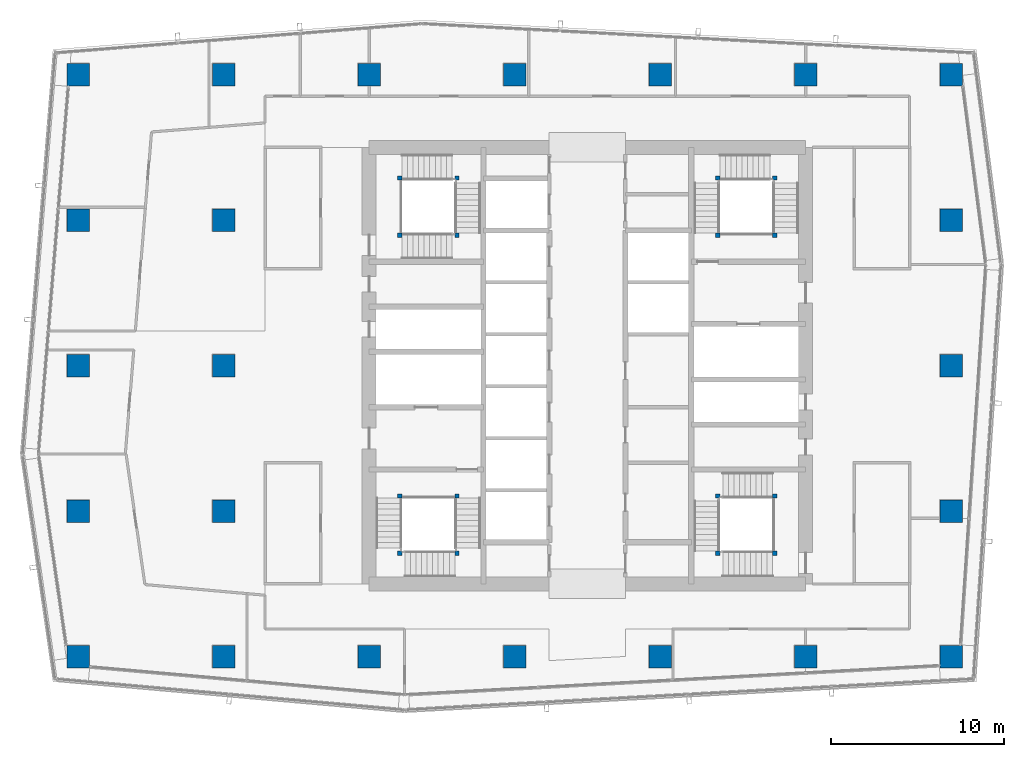
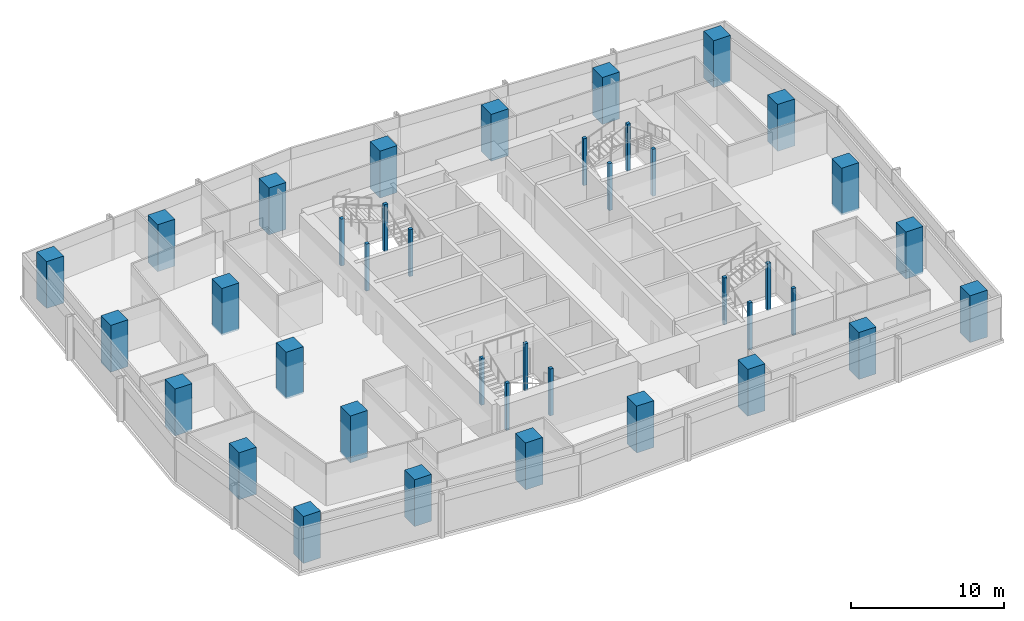
# One storey, part 1 of 29: 39 columns.
"""IFC4 building model written with IfcOpenShell, lengths in metres."""

from ifc_helpers import new_model, si_unit, direction, frame, origin, origin_2d, place, context, subcontext, project, spatial, rectangle, extrude, material, material_profile, profile_set, type_object, element, save


model = new_model("IFC4")

# Units and contexts
model_context = context("Model", 3, precision=1e-05, world=origin(), true_north=direction((0.0, 1.0)))
body_context = subcontext(model_context, "Body", "Model", "MODEL_VIEW")
ifc_project = project(units=[si_unit("LENGTHUNIT", "METRE"), si_unit("AREAUNIT", "SQUARE_METRE"), si_unit("VOLUMEUNIT", "CUBIC_METRE"), si_unit("PLANEANGLEUNIT", "RADIAN"), si_unit("MASSUNIT", "GRAM", prefix="KILO")], contexts=[model_context])

# Site, building, storey
site_placement = place(None, origin())
site = spatial("IfcSite", under=ifc_project, at=site_placement, CompositionType="ELEMENT")
building_placement = place(site_placement, origin())
building = spatial("IfcBuilding", under=site, at=building_placement, Name="Rekha Terrace Tower", CompositionType="ELEMENT")
storey_placement = place(building_placement, frame((0.0, 0.0, 261.35009765625)))
storey = spatial("IfcBuildingStorey", under=building, at=storey_placement, Name="L66", CompositionType="ELEMENT", Elevation=261.35009765625)

# Columns
ifc_material_1 = material(Name="Concrete M70", Category="concrete")
ifc_material_profile_1 = material_profile(ifc_material_1, rectangle(XDim=1.300048828125, YDim=1.300048828125, at=origin_2d()), Name="RC 1300x1300")
ifc_profile_set_1 = profile_set([ifc_material_profile_1], Name="Concrete M70")
column_type_1 = type_object("IfcColumnType", Name="C5D 1300x1300 column", PredefinedType="COLUMN", material=ifc_profile_set_1)
for number, where, z_axis, x_axis, name in (
    (1, (8.39990234375, 16.800048828125, 0.0), (0.0, 0.0, 1.0), (1.0, 0.0, 0.0), "Column C5D 2/C L66"),
    (2, (8.39990234375, 25.199951171875, 0.0), (0.0, 0.0, 1.0), (1.0, 0.0, 0.0), "Column C5D 2/D L66"),
    (3, (8.39990234375, 33.60009765625, 0.0), (0.0, 0.0, 1.0), (1.0, 0.0, 0.0), "Column C5D 2/E L66"),
    (4, (8.39990234375, 42.0, 0.0), (0.0, 0.0, 1.0), (1.0, 0.0, 0.0), "Column C5D 2/F L66"),
    (5, (8.39990234375, 50.39990234375, 0.0), (0.0, 0.0, 1.0), (1.0, 0.0, 0.0), "Column C5D 2/G L66"),
    (6, (16.800048828125, 16.800048828125, 0.0), (0.0, 0.0, 1.0), (1.0, 0.0, 0.0), "Column C5D 3/C L66"),
    (7, (16.800048828125, 25.199951171875, 0.0), (0.0, 0.0, 1.0), (1.0, 0.0, 0.0), "Column C5D 3/D L66"),
    (8, (16.800048828125, 33.60009765625, 0.0), (0.0, 0.0, 1.0), (1.0, 0.0, 0.0), "Column C5D 3/E L66"),
    (9, (16.800048828125, 42.0, 0.0), (0.0, 0.0, 1.0), (1.0, 0.0, 0.0), "Column C5D 3/F L66"),
    (10, (16.800048828125, 50.39990234375, 0.0), (0.0, 0.0, 1.0), (1.0, 0.0, 0.0), "Column C5D 3/G L66"),
    (11, (25.199951171875, 16.800048828125, 0.0), (0.0, 0.0, 1.0), (1.0, 0.0, 0.0), "Column C5D 4/C L66"),
    (12, (25.199951171875, 50.39990234375, 0.0), (0.0, 0.0, 1.0), (1.0, 0.0, 0.0), "Column C5D 4/G L66"),
    (13, (33.60009765625, 16.800048828125, 0.0), (0.0, 0.0, 1.0), (1.0, 0.0, 0.0), "Column C5D 5/C L66"),
    (14, (33.60009765625, 50.39990234375, 0.0), (0.0, 0.0, 1.0), (1.0, 0.0, 0.0), "Column C5D 5/G L66"),
    (15, (42.0, 16.800048828125, 0.0), (0.0, 0.0, 1.0), (1.0, 0.0, 0.0), "Column C5D 6/C L66"),
    (16, (42.0, 50.39990234375, 0.0), (0.0, 0.0, 1.0), (1.0, 0.0, 0.0), "Column C5D 6/G L66"),
    (17, (50.39990234375, 16.800048828125, 0.0), (0.0, 0.0, 1.0), (1.0, 0.0, 0.0), "Column C5D 7/C L66"),
    (18, (50.39990234375, 50.39990234375, 0.0), (0.0, 0.0, 1.0), (1.0, 0.0, 0.0), "Column C5D 7/G L66"),
    (19, (58.800048828125, 16.800048828125, 0.0), (0.0, 0.0, 1.0), (1.0, 0.0, 0.0), "Column C5D 8/C L66"),
    (20, (58.800048828125, 25.199951171875, 0.0), (0.0, 0.0, 1.0), (1.0, 0.0, 0.0), "Column C5D 8/D L66"),
    (21, (58.800048828125, 33.60009765625, 0.0), (0.0, 0.0, 1.0), (1.0, 0.0, 0.0), "Column C5D 8/E L66"),
    (22, (58.800048828125, 42.0, 0.0), (0.0, 0.0, 1.0), (1.0, 0.0, 0.0), "Column C5D 8/F L66"),
    (23, (58.800048828125, 50.39990234375, 0.0), (0.0, 0.0, 1.0), (1.0, 0.0, 0.0), "Column C5D 8/G L66"),
):
    element("IfcColumn", number, at=place(storey_placement, frame(where, z_axis=z_axis, x_axis=x_axis)), inside=storey, type_object=column_type_1, Name=name, PredefinedType="COLUMN", context=body_context, shape_type="SweptSolid", body=[
        extrude(rectangle(XDim=1.300048828125, YDim=1.300048828125, at=origin_2d()), origin(), (0.0, 0.0, 1.0), 3.75),
    ])
ifc_material_2 = material(Name="Concrete M60", Category="concrete")
ifc_material_profile_2 = material_profile(ifc_material_2, rectangle(XDim=0.25, YDim=0.25, at=origin_2d()), Name="RC 250x250")
ifc_profile_set_2 = profile_set([ifc_material_profile_2], Name="Concrete M60")
column_type_2 = type_object("IfcColumnType", Name="NP1 250x250 stair newel post", PredefinedType="COLUMN", material=ifc_profile_set_2)
for number, where, z_axis, x_axis, name in (
    (24, (30.27490234375, 26.074951171875, 0.0), (0.0, 0.0, 1.0), (1.0, 0.0, 0.0), "Stair newel post NP1"),
    (25, (30.27490234375, 22.77490234375, 0.0), (0.0, 0.0, 1.0), (1.0, 0.0, 0.0), "Stair newel post NP1"),
    (26, (26.97509765625, 22.77490234375, 0.0), (0.0, 0.0, 1.0), (1.0, 0.0, 0.0), "Stair newel post NP1"),
    (27, (26.97509765625, 26.074951171875, 0.0), (0.0, 0.0, 1.0), (1.0, 0.0, 0.0), "Stair newel post NP1"),
    (28, (45.324951171875, 41.125, 0.0), (0.0, 0.0, 1.0), (1.0, 0.0, 0.0), "Stair newel post NP1"),
    (29, (45.324951171875, 44.425048828125, 0.0), (0.0, 0.0, 1.0), (1.0, 0.0, 0.0), "Stair newel post NP1"),
    (30, (48.625, 44.425048828125, 0.0), (0.0, 0.0, 1.0), (1.0, 0.0, 0.0), "Stair newel post NP1"),
    (31, (48.625, 41.125, 0.0), (0.0, 0.0, 1.0), (1.0, 0.0, 0.0), "Stair newel post NP1"),
    (32, (48.625, 22.77490234375, 0.0), (0.0, 0.0, 1.0), (1.0, 0.0, 0.0), "Stair newel post NP1"),
    (33, (45.324951171875, 22.77490234375, 0.0), (0.0, 0.0, 1.0), (1.0, 0.0, 0.0), "Stair newel post NP1"),
    (34, (45.324951171875, 26.074951171875, 0.0), (0.0, 0.0, 1.0), (1.0, 0.0, 0.0), "Stair newel post NP1"),
    (35, (48.625, 26.074951171875, 0.0), (0.0, 0.0, 1.0), (1.0, 0.0, 0.0), "Stair newel post NP1"),
    (36, (26.97509765625, 41.125, 0.0), (0.0, 0.0, 1.0), (1.0, 0.0, 0.0), "Stair newel post NP1"),
    (37, (30.27490234375, 41.125, 0.0), (0.0, 0.0, 1.0), (1.0, 0.0, 0.0), "Stair newel post NP1"),
    (38, (30.27490234375, 44.425048828125, 0.0), (0.0, 0.0, 1.0), (1.0, 0.0, 0.0), "Stair newel post NP1"),
    (39, (26.97509765625, 44.425048828125, 0.0), (0.0, 0.0, 1.0), (1.0, 0.0, 0.0), "Stair newel post NP1"),
):
    element("IfcColumn", number, at=place(storey_placement, frame(where, z_axis=z_axis, x_axis=x_axis)), inside=storey, type_object=column_type_2, Name=name, PredefinedType="COLUMN", context=body_context, shape_type="SweptSolid", body=[
        extrude(rectangle(XDim=0.25, YDim=0.25, at=origin_2d()), origin(), (0.0, 0.0, 1.0), 3.75),
    ])

save(model, "model.ifc")
